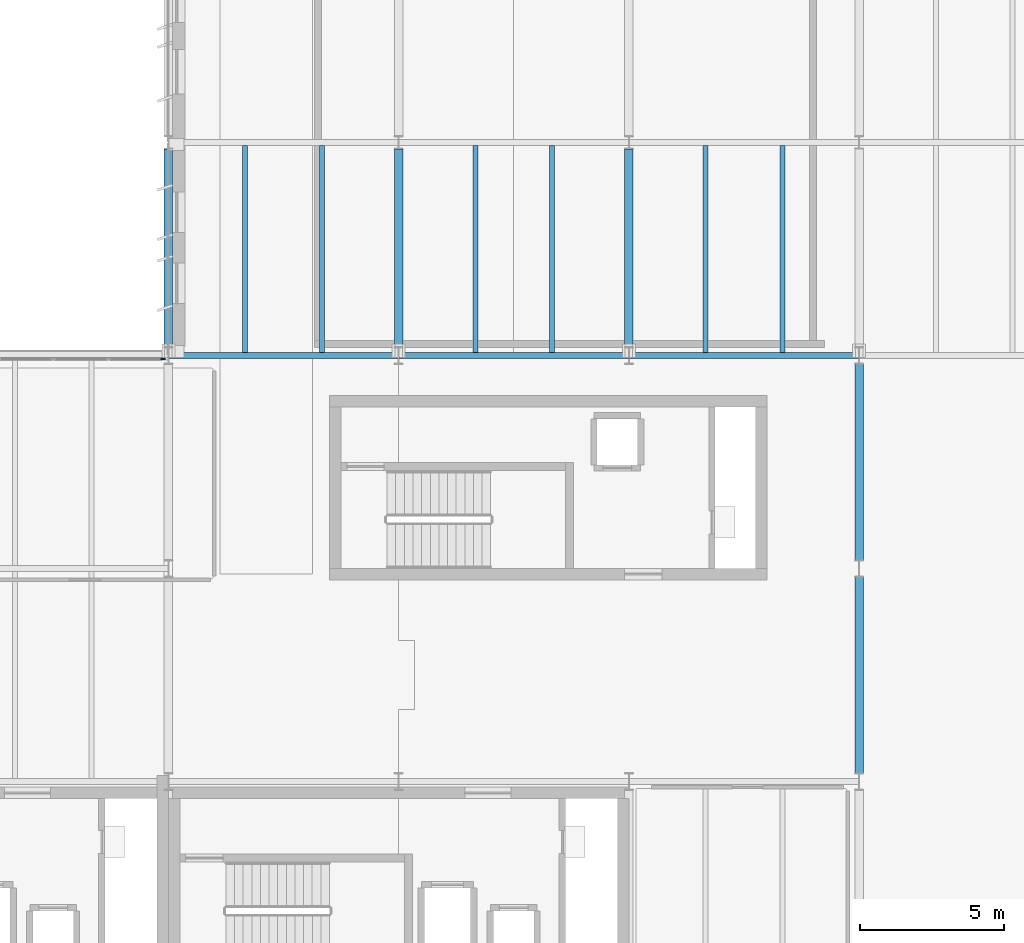
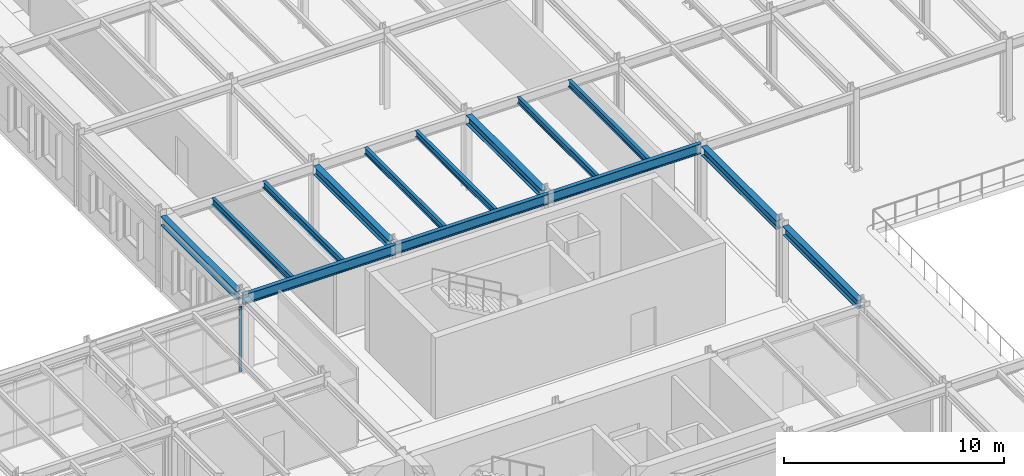
# One storey, part 19 of 75: 14 beams, 1 member, 1 element without a shape of its own.
"""IFC4 building model written with IfcOpenShell, lengths in metres."""

from ifc_helpers import new_model, si_unit, direction, frame, origin, origin_2d, place, context, subcontext, project, spatial, rectangle, i_section, extrude, material, layer, layer_set, material_profile, profile_set, type_object, element, aggregate, save


model = new_model("IFC4")

# Units and contexts
model_context = context("Model", 3, precision=1e-05, world=origin(), true_north=direction((0.0, 1.0)))
body_context = subcontext(model_context, "Body", "Model", "MODEL_VIEW")
ifc_project = project(units=[si_unit("LENGTHUNIT", "METRE"), si_unit("AREAUNIT", "SQUARE_METRE"), si_unit("VOLUMEUNIT", "CUBIC_METRE"), si_unit("PLANEANGLEUNIT", "RADIAN"), si_unit("MASSUNIT", "GRAM", prefix="KILO")], contexts=[model_context])

# Site, building, storey
site_placement = place(None, origin())
site = spatial("IfcSite", under=ifc_project, at=site_placement, CompositionType="ELEMENT")
building_placement = place(site_placement, origin())
building = spatial("IfcBuilding", under=site, at=building_placement, Name="Valkorina Park Police Headquarters", CompositionType="ELEMENT")
storey_placement = place(building_placement, frame((0.0, 0.0, 5.39990234375)))
storey = spatial("IfcBuildingStorey", under=building, at=storey_placement, Name="L02", CompositionType="ELEMENT", Elevation=5.39990234375)

# Beams
ifc_material_1 = material(Name="Steel S355", Category="steel")
ifc_material_profile_1 = material_profile(ifc_material_1, i_section(OverallWidth=0.300048828125, OverallDepth=0.489990234375, WebThickness=0.011962890625, FlangeThickness=0.02294921875, FilletRadius=0.027099609375, at=origin_2d()), Name="HEA 500")
ifc_profile_set_1 = profile_set([ifc_material_profile_1], Name="Steel S355")
beam_type_1 = type_object("IfcBeamType", Name="BM-S355-HEA500-BM", PredefinedType="BEAM", material=ifc_profile_set_1)
for number, where, z_axis, x_axis, name in (
    (1, (40.800048828125, 59.5, 3.925048828125), (0.0, 1.0, 0.0), (-1.0, 0.0, 0.0), "L02 Framing Beam 1560"),
    (2, (48.800048828125, 59.5, 3.925048828125), (0.0, 1.0, 0.0), (-1.0, 0.0, 0.0), "L02 Framing Beam 1576"),
):
    element("IfcBeam", number, at=place(storey_placement, frame(where, z_axis=z_axis, x_axis=x_axis)), inside=storey, type_object=beam_type_1, Name=name, PredefinedType="BEAM", context=body_context, shape_type="SweptSolid", body=[
        extrude(i_section(OverallWidth=0.300048828125, OverallDepth=0.489990234375, WebThickness=0.011962890625, FlangeThickness=0.02294921875, FilletRadius=0.027099609375, at=origin_2d()), origin(), (0.0, 0.0, 1.0), 6.875),
    ])
beam_1_placement = place(storey_placement, frame((56.800048828125, 44.699951171875, 3.9951171875), z_axis=(0.0, 1.0, 0.0), x_axis=(-1.0, 0.0, 0.0)))
element("IfcBeam", 3, at=beam_1_placement, inside=storey, type_object=beam_type_1, Name="L02 Framing Beam 1596", PredefinedType="BEAM", context=body_context, shape_type="SweptSolid", body=[
    extrude(i_section(OverallWidth=0.300048828125, OverallDepth=0.489990234375, WebThickness=0.011962890625, FlangeThickness=0.02294921875, FilletRadius=0.027099609375, at=origin_2d()), origin(), (0.0, 0.0, 1.0), 6.800048828125),
])
beam_2_placement = place(storey_placement, frame((56.800048828125, 52.10009765625, 3.925048828125), z_axis=(0.0, 1.0, 0.0), x_axis=(-1.0, 0.0, 0.0)))
element("IfcBeam", 4, at=beam_2_placement, inside=storey, type_object=beam_type_1, Name="L02 Framing Beam 1597", PredefinedType="BEAM", context=body_context, shape_type="SweptSolid", body=[
    extrude(i_section(OverallWidth=0.300048828125, OverallDepth=0.489990234375, WebThickness=0.011962890625, FlangeThickness=0.02294921875, FilletRadius=0.027099609375, at=origin_2d()), origin(), (0.0, 0.0, 1.0), 6.7998046875),
])
ifc_material_profile_2 = material_profile(ifc_material_1, i_section(OverallWidth=0.300048828125, OverallDepth=0.489990234375, WebThickness=0.011962890625, FlangeThickness=0.02294921875, FilletRadius=0.027099609375, at=origin_2d()), Name="HEA 500")
ifc_profile_set_2 = profile_set([ifc_material_profile_2], Name="Steel S355")
beam_type_2 = type_object("IfcBeamType", Name="BM-S355-HEA500-SPN", PredefinedType="SPANDREL", material=ifc_profile_set_2)
beam_3_placement = place(storey_placement, frame((32.800048828125, 59.5, 3.925048828125), z_axis=(0.0, 1.0, 0.0), x_axis=(-1.0, 0.0, 0.0)))
element("IfcBeam", 5, at=beam_3_placement, inside=storey, type_object=beam_type_2, Name="L02 Framing Beam 1545", PredefinedType="SPANDREL", context=body_context, shape_type="SweptSolid", body=[
    extrude(i_section(OverallWidth=0.300048828125, OverallDepth=0.489990234375, WebThickness=0.011962890625, FlangeThickness=0.02294921875, FilletRadius=0.027099609375, at=origin_2d()), origin(), (0.0, 0.0, 1.0), 6.875),
])
ifc_material_profile_3 = material_profile(ifc_material_1, i_section(OverallWidth=0.169921875, OverallDepth=0.360107421875, WebThickness=0.008056640625, FlangeThickness=0.0126953125, FilletRadius=0.01806640625, at=origin_2d()), Name="IPE 360")
ifc_profile_set_3 = profile_set([ifc_material_profile_3], Name="Steel S355")
beam_type_3 = type_object("IfcBeamType", Name="BM-S355-IPE360-JST", PredefinedType="JOIST", material=ifc_profile_set_3)
for number, where, z_axis, x_axis, name in (
    (6, (35.466796875, 59.304931640625, 3.989990234375), (0.0, 1.0, 0.0), (-1.0, 0.0, 0.0), "L02 Framing Beam 1546"),
    (7, (38.13330078125, 59.304931640625, 3.989990234375), (0.0, 1.0, 0.0), (-1.0, 0.0, 0.0), "L02 Framing Beam 1547"),
    (8, (43.466796875, 59.304931640625, 3.989990234375), (0.0, 1.0, 0.0), (-1.0, 0.0, 0.0), "L02 Framing Beam 1561"),
    (9, (46.13330078125, 59.304931640625, 3.989990234375), (0.0, 1.0, 0.0), (-1.0, 0.0, 0.0), "L02 Framing Beam 1562"),
    (10, (51.466796875, 59.304931640625, 3.989990234375), (0.0, 1.0, 0.0), (-1.0, 0.0, 0.0), "L02 Framing Beam 1577"),
    (11, (54.13330078125, 59.304931640625, 3.989990234375), (0.0, 1.0, 0.0), (-1.0, 0.0, 0.0), "L02 Framing Beam 1578"),
):
    element("IfcBeam", number, at=place(storey_placement, frame(where, z_axis=z_axis, x_axis=x_axis)), inside=storey, type_object=beam_type_3, Name=name, PredefinedType="JOIST", context=body_context, shape_type="SweptSolid", body=[
        extrude(i_section(OverallWidth=0.169921875, OverallDepth=0.360107421875, WebThickness=0.008056640625, FlangeThickness=0.0126953125, FilletRadius=0.01806640625, at=origin_2d()), origin(), (0.0, 0.0, 1.0), 7.190185546875),
    ])
ifc_material_profile_4 = material_profile(ifc_material_1, i_section(OverallWidth=0.2099609375, OverallDepth=0.550048828125, WebThickness=0.010986328125, FlangeThickness=0.01708984375, FilletRadius=0.02392578125, at=origin_2d()), Name="IPE 550")
ifc_profile_set_4 = profile_set([ifc_material_profile_4], Name="Steel S355")
beam_type_4 = type_object("IfcBeamType", Name="BM-S355-IPE550-BM", PredefinedType="BEAM", material=ifc_profile_set_4)
for number, where, z_axis, x_axis, name in (
    (12, (32.8076171875, 59.199951171875, 3.89501953125), (1.0, 0.0, 0.0), (0.0, 1.0, 0.0), "L02 Framing Beam 1343"),
    (13, (40.8076171875, 59.199951171875, 3.89501953125), (1.0, 0.0, 0.0), (0.0, 1.0, 0.0), "L02 Framing Beam 1344"),
    (14, (48.8076171875, 59.199951171875, 3.89501953125), (1.0, 0.0, 0.0), (0.0, 1.0, 0.0), "L02 Framing Beam 1345"),
):
    element("IfcBeam", number, at=place(storey_placement, frame(where, z_axis=z_axis, x_axis=x_axis)), inside=storey, type_object=beam_type_4, Name=name, PredefinedType="BEAM", context=body_context, shape_type="SweptSolid", body=[
        extrude(i_section(OverallWidth=0.2099609375, OverallDepth=0.550048828125, WebThickness=0.010986328125, FlangeThickness=0.01708984375, FilletRadius=0.02392578125, at=origin_2d()), origin(), (0.0, 0.0, 1.0), 7.984619140625),
    ])

# Curtain wall, member
ifc_material_2 = material(Name="Thermally broken aluminium AW-6060", Category="aluminium")
ifc_layer = layer(ifc_material_2, 0.18994140625)
ifc_layer_set = layer_set([ifc_layer], Name="Thermally broken aluminium AW-6060")
curtain_wall_type = type_object("IfcCurtainWallType", Name="CW-COURT-7680x3610", PredefinedType="NOTDEFINED", material=ifc_layer_set)
curtain_wall_placement = place(storey_placement, origin())
curtain_wall = element("IfcCurtainWall", 15, at=curtain_wall_placement, inside=storey, type_object=curtain_wall_type, Name="L02 Unitised Curtain Wall 008", PredefinedType="NOTDEFINED")
ifc_material_profile_5 = material_profile(ifc_material_2, rectangle(XDim=0.06005859375, YDim=0.159912109375, at=origin_2d()), Name="CWM-01 60x160")
ifc_profile_set_5 = profile_set([ifc_material_profile_5], Name="Thermally broken aluminium AW-6060")
member_type = type_object("IfcMemberType", Name="CWM-60x160", PredefinedType="MULLION", material=ifc_profile_set_5)
member_placement = place(storey_placement, frame((32.610107421875, 59.080078125, 0.0), z_axis=(0.0, 0.0, 1.0), x_axis=(0.0, 1.0, 0.0)))
member = element("IfcMember", 16, at=member_placement, type_object=member_type, Name="CW-COURT-768-361 mullion 5", PredefinedType="MULLION", context=body_context, shape_type="SweptSolid", body=[
    extrude(rectangle(XDim=0.06005859375, YDim=0.159912109375, at=origin_2d()), origin(), (0.0, 0.0, 1.0), 3.610107421875),
])
aggregate(curtain_wall, [member])

save(model, "model.ifc")
